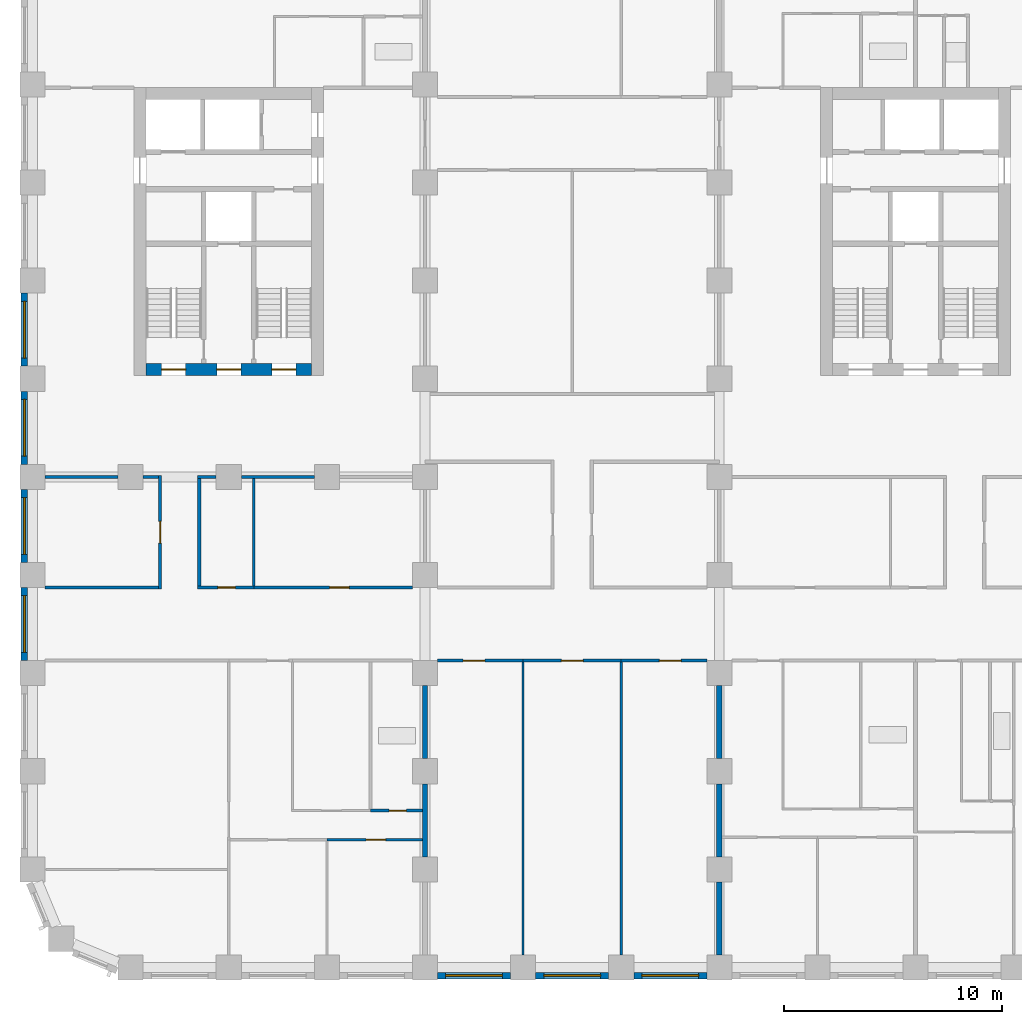
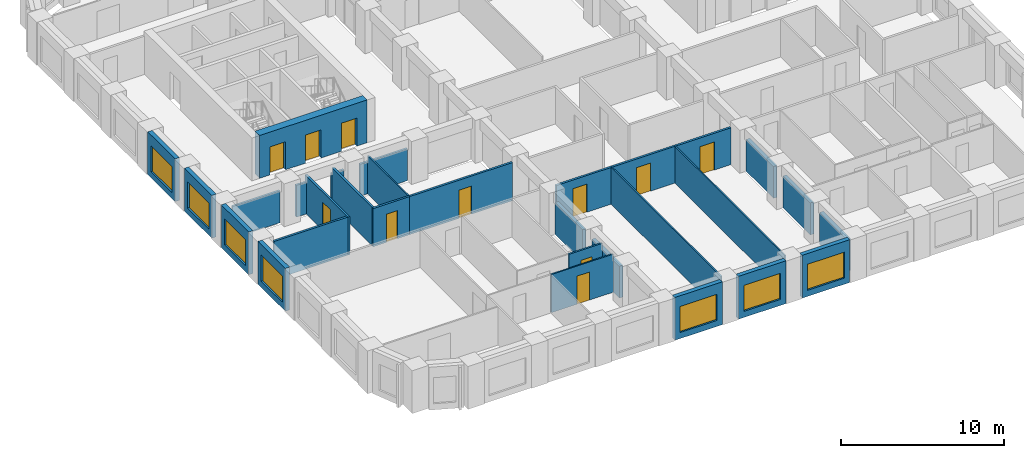
# One storey, part 3 of 12: 30 walls, 11 doors, 7 windows, 18 openings.
"""IFC4 building model written with IfcOpenShell, lengths in metres."""

from ifc_helpers import new_model, si_unit, direction, frame, frame_2d, origin, place, context, subcontext, project, spatial, rectangle, extrude, material, layer, layer_set, type_object, element, fill, save


model = new_model("IFC4")

# Units and contexts
model_context = context("Model", 3, precision=1e-05, world=origin(), true_north=direction((0.0, 1.0)))
body_context = subcontext(model_context, "Body", "Model", "MODEL_VIEW")
ifc_project = project(units=[si_unit("LENGTHUNIT", "METRE"), si_unit("AREAUNIT", "SQUARE_METRE"), si_unit("VOLUMEUNIT", "CUBIC_METRE"), si_unit("PLANEANGLEUNIT", "RADIAN"), si_unit("MASSUNIT", "GRAM", prefix="KILO")], contexts=[model_context])

# Site, building, storey
site_placement = place(None, origin())
site = spatial("IfcSite", under=ifc_project, at=site_placement, CompositionType="ELEMENT")
building_placement = place(site_placement, origin())
building = spatial("IfcBuilding", under=site, at=building_placement, Name="Girih Gate Residences", CompositionType="ELEMENT")
storey_placement = place(building_placement, frame((0.0, 0.0, 121.60009765625)))
storey = spatial("IfcBuildingStorey", under=building, at=storey_placement, Name="L34", CompositionType="ELEMENT", Elevation=121.60009765625)

# Walls
ifc_material_1 = material(Name="Gypsum board on steel studs", Category="steel")
ifc_layer_1 = layer(ifc_material_1, 0.25)
ifc_layer_set_1 = layer_set([ifc_layer_1], Name="Acoustic separating wall 250 mm")
wall_type_1 = type_object("IfcWallType", Name="Acoustic separating wall 250 mm", PredefinedType="PARTITIONING", material=ifc_layer_set_1)
for number, where, z_axis, x_axis, name in (
    (1, (18.0, 9.574951171875, 0.0), (0.0, 0.0, 1.0), (0.0, 1.0, 0.0), "L34 partition"),
    (2, (18.0, 5.074951171875, 0.0), (0.0, 0.0, 1.0), (0.0, 1.0, 0.0), "L34 partition"),
    (3, (31.5, 9.574951171875, 0.0), (0.0, 0.0, 1.0), (0.0, 1.0, 0.0), "L34 partition"),
    (4, (31.5, 0.574951171875, 0.0), (0.0, 0.0, 1.0), (0.0, 1.0, 0.0), "L34 partition"),
    (5, (31.5, 5.074951171875, 0.0), (0.0, 0.0, 1.0), (0.0, 1.0, 0.0), "L34 partition"),
):
    element("IfcWall", number, at=place(storey_placement, frame(where, z_axis=z_axis, x_axis=x_axis)), inside=storey, type_object=wall_type_1, Name=name, PredefinedType="PARTITIONING", context=body_context, shape_type="SweptSolid", body=[
        extrude(rectangle(XDim=3.35009765625, YDim=0.25, at=frame_2d((1.675048828125, 0.0))), origin(), (0.0, 0.0, 1.0), 2.3798828125),
    ])

# Wall, opening, door
ifc_layer_2 = layer(ifc_material_1, 0.14990234375)
ifc_layer_set_2 = layer_set([ifc_layer_2], Name="Compartment wall 150 mm")
wall_type_2 = type_object("IfcWallType", Name="Compartment wall 150 mm", PredefinedType="PARTITIONING", material=ifc_layer_set_2)
wall_1_placement = place(storey_placement, frame((22.5, 14.074951171875, 0.0), z_axis=(0.0, 0.0, 1.0), x_axis=(-1.0, 0.0, 0.0)))
wall_1 = element("IfcWall", 6, at=wall_1_placement, inside=storey, type_object=wall_type_2, Name="L34 partition", PredefinedType="PARTITIONING", context=body_context, shape_type="SweptSolid", body=[
    extrude(rectangle(XDim=3.925048828125, YDim=0.14990234375, at=frame_2d((1.96240234375, 0.0))), origin(), (0.0, 0.0, 1.0), 2.75),
])
opening_1_placement = place(wall_1_placement, frame((1.75, 0.0, 0.0)))
opening_1 = element("IfcOpeningElement", 7, at=opening_1_placement, cuts=wall_1, Name="Opening A34-040", PredefinedType="OPENING", context=body_context, shape_type="SweptSolid", body=[
    extrude(rectangle(XDim=1.0, YDim=2.10009765625, at=frame_2d((0.5, 1.050048828125))), frame((0.0, 0.0849609375, 0.0), z_axis=(0.0, -1.0, 0.0), x_axis=(1.0, 0.0, 0.0)), (0.0, 0.0, 1.0), 0.169921875),
])
ifc_material_2 = material(Name="Timber, fire-rated core", Category="wood")
door_type_1 = type_object("IfcDoorType", Name="Amenity room door 1000x2100 FD30S", OperationType="NOTDEFINED", PredefinedType="DOOR", material=ifc_material_2)
door_1_placement = place(opening_1_placement, origin())
door_1 = element("IfcDoor", 8, at=door_1_placement, inside=storey, type_object=door_type_1, Name="Door A34-040", OperationType="SINGLE_SWING_RIGHT", OverallHeight=2.10009765625, OverallWidth=1.0, PredefinedType="DOOR", context=body_context, shape_type="SweptSolid", body=[
    extrude(rectangle(XDim=1.0, YDim=2.10009765625, at=frame_2d((0.5, 1.050048828125))), frame((0.0, 0.02490234375, 0.0), z_axis=(0.0, -1.0, 0.0), x_axis=(1.0, 0.0, 0.0)), (0.0, 0.0, 1.0), 0.050048828125),
])
fill(opening_1, door_1)

wall_2_placement = place(storey_placement, frame((27.0, 14.074951171875, 0.0), z_axis=(0.0, 0.0, 1.0), x_axis=(-1.0, 0.0, 0.0)))
wall_2 = element("IfcWall", 9, at=wall_2_placement, inside=storey, type_object=wall_type_2, Name="L34 partition", PredefinedType="PARTITIONING", context=body_context, shape_type="SweptSolid", body=[
    extrude(rectangle(XDim=4.5, YDim=0.14990234375, at=frame_2d((2.25, 0.0))), origin(), (0.0, 0.0, 1.0), 2.75),
])
opening_2_placement = place(wall_2_placement, frame((1.75, 0.0, 0.0)))
opening_2 = element("IfcOpeningElement", 10, at=opening_2_placement, cuts=wall_2, Name="Opening A34-041", PredefinedType="OPENING", context=body_context, shape_type="SweptSolid", body=[
    extrude(rectangle(XDim=1.0, YDim=2.10009765625, at=frame_2d((0.5, 1.050048828125))), frame((0.0, 0.0849609375, 0.0), z_axis=(0.0, -1.0, 0.0), x_axis=(1.0, 0.0, 0.0)), (0.0, 0.0, 1.0), 0.169921875),
])
door_2_placement = place(opening_2_placement, origin())
door_2 = element("IfcDoor", 11, at=door_2_placement, inside=storey, type_object=door_type_1, Name="Door A34-041", OperationType="SINGLE_SWING_RIGHT", OverallHeight=2.10009765625, OverallWidth=1.0, PredefinedType="DOOR", context=body_context, shape_type="SweptSolid", body=[
    extrude(rectangle(XDim=1.0, YDim=2.10009765625, at=frame_2d((0.5, 1.050048828125))), frame((0.0, 0.02490234375, 0.0), z_axis=(0.0, -1.0, 0.0), x_axis=(1.0, 0.0, 0.0)), (0.0, 0.0, 1.0), 0.050048828125),
])
fill(opening_2, door_2)

wall_3_placement = place(storey_placement, frame((30.925048828125, 14.074951171875, 0.0), z_axis=(0.0, 0.0, 1.0), x_axis=(-1.0, 0.0, 0.0)))
wall_3 = element("IfcWall", 12, at=wall_3_placement, inside=storey, type_object=wall_type_2, Name="L34 partition", PredefinedType="PARTITIONING", context=body_context, shape_type="SweptSolid", body=[
    extrude(rectangle(XDim=3.925048828125, YDim=0.14990234375, at=frame_2d((1.96240234375, 0.0))), origin(), (0.0, 0.0, 1.0), 2.75),
])
opening_3_placement = place(wall_3_placement, frame((1.175048828125, 0.0, 0.0)))
opening_3 = element("IfcOpeningElement", 13, at=opening_3_placement, cuts=wall_3, Name="Opening A34-042", PredefinedType="OPENING", context=body_context, shape_type="SweptSolid", body=[
    extrude(rectangle(XDim=1.0, YDim=2.10009765625, at=frame_2d((0.5, 1.050048828125))), frame((0.0, 0.0849609375, 0.0), z_axis=(0.0, -1.0, 0.0), x_axis=(1.0, 0.0, 0.0)), (0.0, 0.0, 1.0), 0.169921875),
])
door_3_placement = place(opening_3_placement, origin())
door_3 = element("IfcDoor", 14, at=door_3_placement, inside=storey, type_object=door_type_1, Name="Door A34-042", OperationType="SINGLE_SWING_LEFT", OverallHeight=2.10009765625, OverallWidth=1.0, PredefinedType="DOOR", context=body_context, shape_type="SweptSolid", body=[
    extrude(rectangle(XDim=1.0, YDim=2.10009765625, at=frame_2d((0.5, 1.050048828125))), frame((0.0, 0.02490234375, 0.0), z_axis=(0.0, -1.0, 0.0), x_axis=(1.0, 0.0, 0.0)), (0.0, 0.0, 1.0), 0.050048828125),
])
fill(opening_3, door_3)

wall_4_placement = place(storey_placement, frame((10.14990234375, 17.425048828125, 0.0), z_axis=(0.0, 0.0, 1.0), x_axis=(1.0, 0.0, 0.0)))
wall_4 = element("IfcWall", 15, at=wall_4_placement, inside=storey, type_object=wall_type_2, Name="L34 partition", PredefinedType="PARTITIONING", context=body_context, shape_type="SweptSolid", body=[
    extrude(rectangle(XDim=7.275146484375, YDim=0.14990234375, at=frame_2d((3.6376953125, 0.0))), origin(), (0.0, 0.0, 1.0), 2.849853515625),
])
opening_4_placement = place(wall_4_placement, frame((3.47509765625, 0.0, 0.0)))
opening_4 = element("IfcOpeningElement", 16, at=opening_4_placement, cuts=wall_4, Name="Opening A34-046", PredefinedType="OPENING", context=body_context, shape_type="SweptSolid", body=[
    extrude(rectangle(XDim=0.89990234375, YDim=2.10009765625, at=frame_2d((0.449951171875, 1.050048828125))), frame((0.0, 0.0849609375, 0.0), z_axis=(0.0, -1.0, 0.0), x_axis=(1.0, 0.0, 0.0)), (0.0, 0.0, 1.0), 0.169921875),
])
ifc_material_3 = material(Name="Timber", Category="wood")
door_type_2 = type_object("IfcDoorType", Name="Service room door 900x2100", OperationType="NOTDEFINED", PredefinedType="DOOR", material=ifc_material_3)
door_4_placement = place(opening_4_placement, origin())
door_4 = element("IfcDoor", 17, at=door_4_placement, inside=storey, type_object=door_type_2, Name="Door A34-046", OperationType="SINGLE_SWING_RIGHT", OverallHeight=2.10009765625, OverallWidth=0.89990234375, PredefinedType="DOOR", context=body_context, shape_type="SweptSolid", body=[
    extrude(rectangle(XDim=0.89990234375, YDim=2.10009765625, at=frame_2d((0.449951171875, 1.050048828125))), frame((0.0, 0.02490234375, 0.0), z_axis=(0.0, -1.0, 0.0), x_axis=(1.0, 0.0, 0.0)), (0.0, 0.0, 1.0), 0.050048828125),
])
fill(opening_4, door_4)

wall_5_placement = place(storey_placement, frame((7.574951171875, 17.425048828125, 0.0), z_axis=(0.0, 0.0, 1.0), x_axis=(1.0, 0.0, 0.0)))
wall_5 = element("IfcWall", 18, at=wall_5_placement, inside=storey, type_object=wall_type_2, Name="L34 partition", PredefinedType="PARTITIONING", context=body_context, shape_type="SweptSolid", body=[
    extrude(rectangle(XDim=2.574951171875, YDim=0.14990234375, at=frame_2d((1.28759765625, 0.0))), origin(), (0.0, 0.0, 1.0), 2.849853515625),
])
opening_5_placement = place(wall_5_placement, frame((0.925048828125, 0.0, 0.0)))
opening_5 = element("IfcOpeningElement", 19, at=opening_5_placement, cuts=wall_5, Name="Opening A34-048", PredefinedType="OPENING", context=body_context, shape_type="SweptSolid", body=[
    extrude(rectangle(XDim=0.800048828125, YDim=2.10009765625, at=frame_2d((0.39990234375, 1.050048828125))), frame((0.0, 0.0849609375, 0.0), z_axis=(0.0, -1.0, 0.0), x_axis=(1.0, 0.0, 0.0)), (0.0, 0.0, 1.0), 0.169921875),
])
door_type_3 = type_object("IfcDoorType", Name="Bathroom door 800x2100", OperationType="NOTDEFINED", PredefinedType="DOOR", material=ifc_material_3)
door_5_placement = place(opening_5_placement, origin())
door_5 = element("IfcDoor", 20, at=door_5_placement, inside=storey, type_object=door_type_3, Name="Door A34-048", OperationType="SINGLE_SWING_RIGHT", OverallHeight=2.10009765625, OverallWidth=0.800048828125, PredefinedType="DOOR", context=body_context, shape_type="SweptSolid", body=[
    extrude(rectangle(XDim=0.800048828125, YDim=2.10009765625, at=frame_2d((0.39990234375, 1.050048828125))), frame((0.0, 0.02490234375, 0.0), z_axis=(0.0, -1.0, 0.0), x_axis=(1.0, 0.0, 0.0)), (0.0, 0.0, 1.0), 0.050048828125),
])
fill(opening_5, door_5)

# Walls
wall_6_placement = place(storey_placement, frame((0.574951171875, 17.425048828125, 0.0), z_axis=(0.0, 0.0, 1.0), x_axis=(1.0, 0.0, 0.0)))
element("IfcWall", 21, at=wall_6_placement, inside=storey, type_object=wall_type_2, Name="L34 partition", PredefinedType="PARTITIONING", context=body_context, shape_type="SweptSolid", body=[
    extrude(rectangle(XDim=5.199951171875, YDim=0.14990234375, at=frame_2d((2.60009765625, 0.0))), origin(), (0.0, 0.0, 1.0), 2.849853515625),
])
wall_7_placement = place(storey_placement, frame((9.574951171875, 22.5, 0.0), z_axis=(0.0, 0.0, 1.0), x_axis=(1.0, 0.0, 0.0)))
element("IfcWall", 22, at=wall_7_placement, inside=storey, type_object=wall_type_2, Name="L34 partition", PredefinedType="PARTITIONING", context=body_context, shape_type="SweptSolid", body=[
    extrude(rectangle(XDim=3.35009765625, YDim=0.14990234375, at=frame_2d((1.675048828125, 0.0))), origin(), (0.0, 0.0, 1.0), 2.3798828125),
])
wall_8_placement = place(storey_placement, frame((7.574951171875, 22.5, 0.0), z_axis=(0.0, 0.0, 1.0), x_axis=(1.0, 0.0, 0.0)))
element("IfcWall", 23, at=wall_8_placement, inside=storey, type_object=wall_type_2, Name="L34 partition", PredefinedType="PARTITIONING", context=body_context, shape_type="SweptSolid", body=[
    extrude(rectangle(XDim=0.85009765625, YDim=0.14990234375, at=frame_2d((0.425048828125, 0.0))), origin(), (0.0, 0.0, 1.0), 2.3798828125),
])
wall_9_placement = place(storey_placement, frame((5.074951171875, 22.5, 0.0), z_axis=(0.0, 0.0, 1.0), x_axis=(1.0, 0.0, 0.0)))
element("IfcWall", 24, at=wall_9_placement, inside=storey, type_object=wall_type_2, Name="L34 partition", PredefinedType="PARTITIONING", context=body_context, shape_type="SweptSolid", body=[
    extrude(rectangle(XDim=0.699951171875, YDim=0.14990234375, at=frame_2d((0.35009765625, 0.0))), origin(), (0.0, 0.0, 1.0), 2.3798828125),
])
wall_10_placement = place(storey_placement, frame((0.574951171875, 22.5, 0.0), z_axis=(0.0, 0.0, 1.0), x_axis=(1.0, 0.0, 0.0)))
element("IfcWall", 25, at=wall_10_placement, inside=storey, type_object=wall_type_2, Name="L34 partition", PredefinedType="PARTITIONING", context=body_context, shape_type="SweptSolid", body=[
    extrude(rectangle(XDim=3.35009765625, YDim=0.14990234375, at=frame_2d((1.675048828125, 0.0))), origin(), (0.0, 0.0, 1.0), 2.3798828125),
])
wall_11_placement = place(storey_placement, frame((7.64990234375, 17.5, 0.0), z_axis=(0.0, 0.0, 1.0), x_axis=(0.0, 1.0, 0.0)))
element("IfcWall", 26, at=wall_11_placement, inside=storey, type_object=wall_type_2, Name="L34 partition", PredefinedType="PARTITIONING", context=body_context, shape_type="SweptSolid", body=[
    extrude(rectangle(XDim=4.925048828125, YDim=0.14990234375, at=frame_2d((2.46240234375, 0.0))), origin(), (0.0, 0.0, 1.0), 2.849853515625),
])

# Wall, opening, door
wall_12_placement = place(storey_placement, frame((5.85009765625, 17.35009765625, 0.0), z_axis=(0.0, 0.0, 1.0), x_axis=(0.0, 1.0, 0.0)))
wall_12 = element("IfcWall", 27, at=wall_12_placement, inside=storey, type_object=wall_type_2, Name="L34 partition", PredefinedType="PARTITIONING", context=body_context, shape_type="SweptSolid", body=[
    extrude(rectangle(XDim=5.224853515625, YDim=0.14990234375, at=frame_2d((2.6123046875, 0.0))), origin(), (0.0, 0.0, 1.0), 2.849853515625),
])
opening_6_placement = place(wall_12_placement, frame((2.112548828125, 0.0, 0.0)))
opening_6 = element("IfcOpeningElement", 28, at=opening_6_placement, cuts=wall_12, Name="Opening A34-050", PredefinedType="OPENING", context=body_context, shape_type="SweptSolid", body=[
    extrude(rectangle(XDim=1.0, YDim=2.10009765625, at=frame_2d((0.5, 1.050048828125))), frame((0.0, 0.0849609375, 0.0), z_axis=(0.0, -1.0, 0.0), x_axis=(1.0, 0.0, 0.0)), (0.0, 0.0, 1.0), 0.169921875),
])
door_6_placement = place(opening_6_placement, origin())
door_6 = element("IfcDoor", 29, at=door_6_placement, inside=storey, type_object=door_type_1, Name="Door A34-050", OperationType="SINGLE_SWING_LEFT", OverallHeight=2.10009765625, OverallWidth=1.0, PredefinedType="DOOR", context=body_context, shape_type="SweptSolid", body=[
    extrude(rectangle(XDim=1.0, YDim=2.10009765625, at=frame_2d((0.5, 1.050048828125))), frame((0.0, 0.02490234375, 0.0), z_axis=(0.0, -1.0, 0.0), x_axis=(1.0, 0.0, 0.0)), (0.0, 0.0, 1.0), 0.050048828125),
])
fill(opening_6, door_6)

# Wall, openings, doors
ifc_material_4 = material(Name="Concrete C60/75", Category="concrete")
ifc_layer_3 = layer(ifc_material_4, 0.550048828125)
ifc_layer_set_3 = layer_set([ifc_layer_3], Name="Core wall RC 550 Concrete C60/75")
wall_type_3 = type_object("IfcWallType", Name="Core wall RC 550 Concrete C60/75", PredefinedType="SOLIDWALL", material=ifc_layer_set_3)
wall_13_placement = place(storey_placement, frame((5.199951171875, 27.425048828125, 0.0), z_axis=(0.0, 0.0, 1.0), x_axis=(1.0, 0.0, 0.0)))
wall_13 = element("IfcWall", 30, at=wall_13_placement, inside=storey, type_object=wall_type_3, Name="Core wall W-S L34", PredefinedType="SOLIDWALL", context=body_context, shape_type="SweptSolid", body=[
    extrude(rectangle(XDim=7.60009765625, YDim=0.550048828125, at=frame_2d((3.800048828125, 0.0))), origin(), (0.0, 0.0, 1.0), 3.199951171875),
])
opening_7_placement = place(wall_13_placement, frame((0.72509765625, 0.0, 0.0)))
opening_7 = element("IfcOpeningElement", 31, at=opening_7_placement, cuts=wall_13, Name="Opening D-L34-W-007", PredefinedType="OPENING", context=body_context, shape_type="SweptSolid", body=[
    extrude(rectangle(XDim=1.10009765625, YDim=2.10009765625, at=frame_2d((0.550048828125, 1.050048828125))), frame((0.0, 0.284912109375, 0.0), z_axis=(0.0, -1.0, 0.0), x_axis=(1.0, 0.0, 0.0)), (0.0, 0.0, 1.0), 0.570068359375),
])
opening_8_placement = place(wall_13_placement, frame((3.25, 0.0, 0.0)))
opening_8 = element("IfcOpeningElement", 32, at=opening_8_placement, cuts=wall_13, Name="Opening D-L34-W-008", PredefinedType="OPENING", context=body_context, shape_type="SweptSolid", body=[
    extrude(rectangle(XDim=1.10009765625, YDim=2.10009765625, at=frame_2d((0.550048828125, 1.050048828125))), frame((0.0, 0.284912109375, 0.0), z_axis=(0.0, -1.0, 0.0), x_axis=(1.0, 0.0, 0.0)), (0.0, 0.0, 1.0), 0.570068359375),
])
opening_9_placement = place(wall_13_placement, frame((5.77490234375, 0.0, 0.0)))
opening_9 = element("IfcOpeningElement", 33, at=opening_9_placement, cuts=wall_13, Name="Opening D-L34-W-009", PredefinedType="OPENING", context=body_context, shape_type="SweptSolid", body=[
    extrude(rectangle(XDim=1.10009765625, YDim=2.10009765625, at=frame_2d((0.550048828125, 1.050048828125))), frame((0.0, 0.284912109375, 0.0), z_axis=(0.0, -1.0, 0.0), x_axis=(1.0, 0.0, 0.0)), (0.0, 0.0, 1.0), 0.570068359375),
])
ifc_material_5 = material(Name="Painted steel, fire-resisting", Category="steel")
door_type_4 = type_object("IfcDoorType", Name="Fire door 1100x2100", OperationType="SINGLE_SWING_LEFT", PredefinedType="DOOR", material=ifc_material_5)
door_7_placement = place(opening_7_placement, origin())
door_7 = element("IfcDoor", 34, at=door_7_placement, inside=storey, type_object=door_type_4, Name="L34 W core door sta-out", OperationType="SINGLE_SWING_LEFT", OverallHeight=2.10009765625, OverallWidth=1.10009765625, PredefinedType="DOOR", context=body_context, shape_type="SweptSolid", body=[
    extrude(rectangle(XDim=1.10009765625, YDim=2.10009765625, at=frame_2d((0.550048828125, 1.050048828125))), frame((0.0, 0.02490234375, 0.0), z_axis=(0.0, -1.0, 0.0), x_axis=(1.0, 0.0, 0.0)), (0.0, 0.0, 1.0), 0.050048828125),
])
fill(opening_7, door_7)
door_8_placement = place(opening_8_placement, origin())
door_8 = element("IfcDoor", 35, at=door_8_placement, inside=storey, type_object=door_type_4, Name="L34 W core door ffl-out", OperationType="SINGLE_SWING_LEFT", OverallHeight=2.10009765625, OverallWidth=1.10009765625, PredefinedType="DOOR", context=body_context, shape_type="SweptSolid", body=[
    extrude(rectangle(XDim=1.10009765625, YDim=2.10009765625, at=frame_2d((0.550048828125, 1.050048828125))), frame((0.0, 0.02490234375, 0.0), z_axis=(0.0, -1.0, 0.0), x_axis=(1.0, 0.0, 0.0)), (0.0, 0.0, 1.0), 0.050048828125),
])
fill(opening_8, door_8)
door_9_placement = place(opening_9_placement, origin())
door_9 = element("IfcDoor", 36, at=door_9_placement, inside=storey, type_object=door_type_4, Name="L34 W core door stb-out", OperationType="SINGLE_SWING_LEFT", OverallHeight=2.10009765625, OverallWidth=1.10009765625, PredefinedType="DOOR", context=body_context, shape_type="SweptSolid", body=[
    extrude(rectangle(XDim=1.10009765625, YDim=2.10009765625, at=frame_2d((0.550048828125, 1.050048828125))), frame((0.0, 0.02490234375, 0.0), z_axis=(0.0, -1.0, 0.0), x_axis=(1.0, 0.0, 0.0)), (0.0, 0.0, 1.0), 0.050048828125),
])
fill(opening_9, door_9)

# Wall, opening, door
ifc_layer_4 = layer(ifc_material_1, 0.10009765625)
ifc_layer_set_4 = layer_set([ifc_layer_4], Name="Partition 100 mm")
wall_type_4 = type_object("IfcWallType", Name="Partition 100 mm", PredefinedType="PARTITIONING", material=ifc_layer_set_4)
wall_14_placement = place(storey_placement, frame((17.875, 5.85498046875, 0.0), z_axis=(0.0, 0.0, 1.0), x_axis=(-1.0, 0.0, 0.0)))
wall_14 = element("IfcWall", 37, at=wall_14_placement, inside=storey, type_object=wall_type_4, Name="L34 partition", PredefinedType="PARTITIONING", context=body_context, shape_type="SweptSolid", body=[
    extrude(rectangle(XDim=4.375, YDim=0.10009765625, at=frame_2d((2.1875, 0.0))), origin(), (0.0, 0.0, 1.0), 2.849853515625),
])
opening_10_placement = place(wall_14_placement, frame((1.675048828125, 0.0, 0.0)))
opening_10 = element("IfcOpeningElement", 38, at=opening_10_placement, cuts=wall_14, Name="Opening A34-003", PredefinedType="OPENING", context=body_context, shape_type="SweptSolid", body=[
    extrude(rectangle(XDim=0.89990234375, YDim=2.10009765625, at=frame_2d((0.449951171875, 1.050048828125))), frame((0.0, 0.06005859375, 0.0), z_axis=(0.0, -1.0, 0.0), x_axis=(1.0, 0.0, 0.0)), (0.0, 0.0, 1.0), 0.1201171875),
])
door_type_5 = type_object("IfcDoorType", Name="Bedroom door 900x2100", OperationType="NOTDEFINED", PredefinedType="DOOR", material=ifc_material_3)
door_10_placement = place(opening_10_placement, origin())
door_10 = element("IfcDoor", 39, at=door_10_placement, inside=storey, type_object=door_type_5, Name="Door A34-003", OperationType="SINGLE_SWING_LEFT", OverallHeight=2.10009765625, OverallWidth=0.89990234375, PredefinedType="DOOR", context=body_context, shape_type="SweptSolid", body=[
    extrude(rectangle(XDim=0.89990234375, YDim=2.10009765625, at=frame_2d((0.449951171875, 1.050048828125))), frame((0.0, 0.02490234375, 0.0), z_axis=(0.0, -1.0, 0.0), x_axis=(1.0, 0.0, 0.0)), (0.0, 0.0, 1.0), 0.050048828125),
])
fill(opening_10, door_10)

# Walls
for number, where, z_axis, x_axis, name in (
    (40, (22.5, 0.574951171875, 0.0), (0.0, 0.0, 1.0), (0.0, 1.0, 0.0), "L34 partition"),
    (41, (27.0, 0.574951171875, 0.0), (0.0, 0.0, 1.0), (0.0, 1.0, 0.0), "L34 partition"),
):
    element("IfcWall", number, at=place(storey_placement, frame(where, z_axis=z_axis, x_axis=x_axis)), inside=storey, type_object=wall_type_4, Name=name, PredefinedType="PARTITIONING", context=body_context, shape_type="SweptSolid", body=[
        extrude(rectangle(XDim=13.425048828125, YDim=0.10009765625, at=frame_2d((6.71240234375, 0.0))), origin(), (0.0, 0.0, 1.0), 2.75),
    ])
wall_15_placement = place(storey_placement, frame((10.14990234375, 17.5, 0.0), z_axis=(0.0, 0.0, 1.0), x_axis=(0.0, 1.0, 0.0)))
element("IfcWall", 42, at=wall_15_placement, inside=storey, type_object=wall_type_4, Name="L34 partition", PredefinedType="PARTITIONING", context=body_context, shape_type="SweptSolid", body=[
    extrude(rectangle(XDim=4.925048828125, YDim=0.10009765625, at=frame_2d((2.46240234375, 0.0))), origin(), (0.0, 0.0, 1.0), 2.849853515625),
])

# Wall, opening, window
ifc_material_6 = material(Name="Precast concrete C50/60", Category="concrete")
ifc_layer_5 = layer(ifc_material_6, 0.080078125, Name="Outer leaf")
ifc_material_7 = material(Name="Rigid PIR insulation")
ifc_layer_6 = layer(ifc_material_7, 0.14990234375, Name="Insulation")
ifc_material_8 = material(Name="Precast concrete C40/50", Category="concrete")
ifc_layer_7 = layer(ifc_material_8, 0.070068359375, Name="Inner leaf")
ifc_layer_set_5 = layer_set([ifc_layer_5, ifc_layer_6, ifc_layer_7], Name="Precast concrete C50/60 external wall 300")
wall_type_5 = type_object("IfcWallType", Name="Precast concrete C50/60 external wall 300", PredefinedType="SOLIDWALL", material=ifc_layer_set_5)
wall_16_placement = place(storey_placement, frame((21.925048828125, -0.375, 0.0), z_axis=(0.0, 0.0, 1.0), x_axis=(-1.0, 0.0, 0.0)))
wall_16 = element("IfcWall", 43, at=wall_16_placement, inside=storey, type_object=wall_type_5, Name="External wall S0045_0000.3", PredefinedType="SOLIDWALL", context=body_context, shape_type="SweptSolid", body=[
    extrude(rectangle(XDim=3.35009765625, YDim=0.300048828125, at=frame_2d((1.675048828125, 0.0))), origin(), (0.0, 0.0, 1.0), 3.199951171875),
])
opening_11_placement = place(wall_16_placement, frame((0.375, 0.0, 0.449951171875)))
opening_11 = element("IfcOpeningElement", 44, at=opening_11_placement, cuts=wall_16, Name="Opening W-1A", PredefinedType="OPENING", context=body_context, shape_type="SweptSolid", body=[
    extrude(rectangle(XDim=2.60009765625, YDim=1.949951171875, at=frame_2d((1.300048828125, 0.97509765625))), frame((0.0, 0.159912109375, 0.0), z_axis=(0.0, -1.0, 0.0), x_axis=(1.0, 0.0, 0.0)), (0.0, 0.0, 1.0), 0.320068359375),
])
ifc_material_9 = material(Name="Double glazing in aluminium frame", Category="aluminium")
window_type = type_object("IfcWindowType", Name="Window W-1A 2600x1950", PartitioningType="SINGLE_PANEL", PredefinedType="WINDOW", material=ifc_material_9)
window_1_placement = place(opening_11_placement, origin())
window_1 = element("IfcWindow", 45, at=window_1_placement, inside=storey, type_object=window_type, Name="Window W-1A S0045_0000.3", OverallHeight=1.949951171875, OverallWidth=2.60009765625, PartitioningType="SINGLE_PANEL", PredefinedType="WINDOW", context=body_context, shape_type="SweptSolid", body=[
    extrude(rectangle(XDim=2.60009765625, YDim=1.949951171875, at=frame_2d((1.300048828125, 0.97509765625))), frame((0.0, 0.030029296875, 0.0), z_axis=(0.0, -1.0, 0.0), x_axis=(1.0, 0.0, 0.0)), (0.0, 0.0, 1.0), 0.06005859375),
])
fill(opening_11, window_1)

wall_17_placement = place(storey_placement, frame((26.425048828125, -0.375, 0.0), z_axis=(0.0, 0.0, 1.0), x_axis=(-1.0, 0.0, 0.0)))
wall_17 = element("IfcWall", 46, at=wall_17_placement, inside=storey, type_object=wall_type_5, Name="External wall S0045_0000.4", PredefinedType="SOLIDWALL", context=body_context, shape_type="SweptSolid", body=[
    extrude(rectangle(XDim=3.35009765625, YDim=0.300048828125, at=frame_2d((1.675048828125, 0.0))), origin(), (0.0, 0.0, 1.0), 3.199951171875),
])
opening_12_placement = place(wall_17_placement, frame((0.375, 0.0, 0.449951171875)))
opening_12 = element("IfcOpeningElement", 47, at=opening_12_placement, cuts=wall_17, Name="Opening W-1A", PredefinedType="OPENING", context=body_context, shape_type="SweptSolid", body=[
    extrude(rectangle(XDim=2.60009765625, YDim=1.949951171875, at=frame_2d((1.300048828125, 0.97509765625))), frame((0.0, 0.159912109375, 0.0), z_axis=(0.0, -1.0, 0.0), x_axis=(1.0, 0.0, 0.0)), (0.0, 0.0, 1.0), 0.320068359375),
])
window_2_placement = place(opening_12_placement, origin())
window_2 = element("IfcWindow", 48, at=window_2_placement, inside=storey, type_object=window_type, Name="Window W-1A S0045_0000.4", OverallHeight=1.949951171875, OverallWidth=2.60009765625, PartitioningType="SINGLE_PANEL", PredefinedType="WINDOW", context=body_context, shape_type="SweptSolid", body=[
    extrude(rectangle(XDim=2.60009765625, YDim=1.949951171875, at=frame_2d((1.300048828125, 0.97509765625))), frame((0.0, 0.030029296875, 0.0), z_axis=(0.0, -1.0, 0.0), x_axis=(1.0, 0.0, 0.0)), (0.0, 0.0, 1.0), 0.06005859375),
])
fill(opening_12, window_2)

wall_18_placement = place(storey_placement, frame((30.925048828125, -0.375, 0.0), z_axis=(0.0, 0.0, 1.0), x_axis=(-1.0, 0.0, 0.0)))
wall_18 = element("IfcWall", 49, at=wall_18_placement, inside=storey, type_object=wall_type_5, Name="External wall S0045_0000.5", PredefinedType="SOLIDWALL", context=body_context, shape_type="SweptSolid", body=[
    extrude(rectangle(XDim=3.35009765625, YDim=0.300048828125, at=frame_2d((1.675048828125, 0.0))), origin(), (0.0, 0.0, 1.0), 3.199951171875),
])
opening_13_placement = place(wall_18_placement, frame((0.375, 0.0, 0.449951171875)))
opening_13 = element("IfcOpeningElement", 50, at=opening_13_placement, cuts=wall_18, Name="Opening W-1A", PredefinedType="OPENING", context=body_context, shape_type="SweptSolid", body=[
    extrude(rectangle(XDim=2.60009765625, YDim=1.949951171875, at=frame_2d((1.300048828125, 0.97509765625))), frame((0.0, 0.159912109375, 0.0), z_axis=(0.0, -1.0, 0.0), x_axis=(1.0, 0.0, 0.0)), (0.0, 0.0, 1.0), 0.320068359375),
])
window_3_placement = place(opening_13_placement, origin())
window_3 = element("IfcWindow", 51, at=window_3_placement, inside=storey, type_object=window_type, Name="Window W-1A S0045_0000.5", OverallHeight=1.949951171875, OverallWidth=2.60009765625, PartitioningType="SINGLE_PANEL", PredefinedType="WINDOW", context=body_context, shape_type="SweptSolid", body=[
    extrude(rectangle(XDim=2.60009765625, YDim=1.949951171875, at=frame_2d((1.300048828125, 0.97509765625))), frame((0.0, 0.030029296875, 0.0), z_axis=(0.0, -1.0, 0.0), x_axis=(1.0, 0.0, 0.0)), (0.0, 0.0, 1.0), 0.06005859375),
])
fill(opening_13, window_3)

wall_19_placement = place(storey_placement, frame((-0.375, 27.574951171875, 0.0), z_axis=(0.0, 0.0, 1.0), x_axis=(0.0, 1.0, 0.0)))
wall_19 = element("IfcWall", 52, at=wall_19_placement, inside=storey, type_object=wall_type_5, Name="External wall W0000_0450.3", PredefinedType="SOLIDWALL", context=body_context, shape_type="SweptSolid", body=[
    extrude(rectangle(XDim=3.35009765625, YDim=0.300048828125, at=frame_2d((1.675048828125, 0.0))), origin(), (0.0, 0.0, 1.0), 3.199951171875),
])
opening_14_placement = place(wall_19_placement, frame((0.375, 0.0, 0.449951171875)))
opening_14 = element("IfcOpeningElement", 53, at=opening_14_placement, cuts=wall_19, Name="Opening W-1A", PredefinedType="OPENING", context=body_context, shape_type="SweptSolid", body=[
    extrude(rectangle(XDim=2.60009765625, YDim=1.949951171875, at=frame_2d((1.300048828125, 0.97509765625))), frame((0.0, 0.159912109375, 0.0), z_axis=(0.0, -1.0, 0.0), x_axis=(1.0, 0.0, 0.0)), (0.0, 0.0, 1.0), 0.320068359375),
])
window_4_placement = place(opening_14_placement, origin())
window_4 = element("IfcWindow", 54, at=window_4_placement, inside=storey, type_object=window_type, Name="Window W-1A W0000_0450.3", OverallHeight=1.949951171875, OverallWidth=2.60009765625, PartitioningType="SINGLE_PANEL", PredefinedType="WINDOW", context=body_context, shape_type="SweptSolid", body=[
    extrude(rectangle(XDim=2.60009765625, YDim=1.949951171875, at=frame_2d((1.300048828125, 0.97509765625))), frame((0.0, 0.030029296875, 0.0), z_axis=(0.0, -1.0, 0.0), x_axis=(1.0, 0.0, 0.0)), (0.0, 0.0, 1.0), 0.06005859375),
])
fill(opening_14, window_4)

wall_20_placement = place(storey_placement, frame((-0.375, 23.074951171875, 0.0), z_axis=(0.0, 0.0, 1.0), x_axis=(0.0, 1.0, 0.0)))
wall_20 = element("IfcWall", 55, at=wall_20_placement, inside=storey, type_object=wall_type_5, Name="External wall W0000_0450.4", PredefinedType="SOLIDWALL", context=body_context, shape_type="SweptSolid", body=[
    extrude(rectangle(XDim=3.35009765625, YDim=0.300048828125, at=frame_2d((1.675048828125, 0.0))), origin(), (0.0, 0.0, 1.0), 3.199951171875),
])
opening_15_placement = place(wall_20_placement, frame((0.375, 0.0, 0.449951171875)))
opening_15 = element("IfcOpeningElement", 56, at=opening_15_placement, cuts=wall_20, Name="Opening W-1A", PredefinedType="OPENING", context=body_context, shape_type="SweptSolid", body=[
    extrude(rectangle(XDim=2.60009765625, YDim=1.949951171875, at=frame_2d((1.300048828125, 0.97509765625))), frame((0.0, 0.159912109375, 0.0), z_axis=(0.0, -1.0, 0.0), x_axis=(1.0, 0.0, 0.0)), (0.0, 0.0, 1.0), 0.320068359375),
])
window_5_placement = place(opening_15_placement, origin())
window_5 = element("IfcWindow", 57, at=window_5_placement, inside=storey, type_object=window_type, Name="Window W-1A W0000_0450.4", OverallHeight=1.949951171875, OverallWidth=2.60009765625, PartitioningType="SINGLE_PANEL", PredefinedType="WINDOW", context=body_context, shape_type="SweptSolid", body=[
    extrude(rectangle(XDim=2.60009765625, YDim=1.949951171875, at=frame_2d((1.300048828125, 0.97509765625))), frame((0.0, 0.030029296875, 0.0), z_axis=(0.0, -1.0, 0.0), x_axis=(1.0, 0.0, 0.0)), (0.0, 0.0, 1.0), 0.06005859375),
])
fill(opening_15, window_5)

wall_21_placement = place(storey_placement, frame((-0.375, 18.574951171875, 0.0), z_axis=(0.0, 0.0, 1.0), x_axis=(0.0, 1.0, 0.0)))
wall_21 = element("IfcWall", 58, at=wall_21_placement, inside=storey, type_object=wall_type_5, Name="External wall W0000_0450.5", PredefinedType="SOLIDWALL", context=body_context, shape_type="SweptSolid", body=[
    extrude(rectangle(XDim=3.35009765625, YDim=0.300048828125, at=frame_2d((1.675048828125, 0.0))), origin(), (0.0, 0.0, 1.0), 3.199951171875),
])
opening_16_placement = place(wall_21_placement, frame((0.375, 0.0, 0.449951171875)))
opening_16 = element("IfcOpeningElement", 59, at=opening_16_placement, cuts=wall_21, Name="Opening W-1A", PredefinedType="OPENING", context=body_context, shape_type="SweptSolid", body=[
    extrude(rectangle(XDim=2.60009765625, YDim=1.949951171875, at=frame_2d((1.300048828125, 0.97509765625))), frame((0.0, 0.159912109375, 0.0), z_axis=(0.0, -1.0, 0.0), x_axis=(1.0, 0.0, 0.0)), (0.0, 0.0, 1.0), 0.320068359375),
])
window_6_placement = place(opening_16_placement, origin())
window_6 = element("IfcWindow", 60, at=window_6_placement, inside=storey, type_object=window_type, Name="Window W-1A W0000_0450.5", OverallHeight=1.949951171875, OverallWidth=2.60009765625, PartitioningType="SINGLE_PANEL", PredefinedType="WINDOW", context=body_context, shape_type="SweptSolid", body=[
    extrude(rectangle(XDim=2.60009765625, YDim=1.949951171875, at=frame_2d((1.300048828125, 0.97509765625))), frame((0.0, 0.030029296875, 0.0), z_axis=(0.0, -1.0, 0.0), x_axis=(1.0, 0.0, 0.0)), (0.0, 0.0, 1.0), 0.06005859375),
])
fill(opening_16, window_6)

wall_22_placement = place(storey_placement, frame((-0.375, 14.074951171875, 0.0), z_axis=(0.0, 0.0, 1.0), x_axis=(0.0, 1.0, 0.0)))
wall_22 = element("IfcWall", 61, at=wall_22_placement, inside=storey, type_object=wall_type_5, Name="External wall W0000_0450.6", PredefinedType="SOLIDWALL", context=body_context, shape_type="SweptSolid", body=[
    extrude(rectangle(XDim=3.35009765625, YDim=0.300048828125, at=frame_2d((1.675048828125, 0.0))), origin(), (0.0, 0.0, 1.0), 3.199951171875),
])
opening_17_placement = place(wall_22_placement, frame((0.375, 0.0, 0.449951171875)))
opening_17 = element("IfcOpeningElement", 62, at=opening_17_placement, cuts=wall_22, Name="Opening W-1A", PredefinedType="OPENING", context=body_context, shape_type="SweptSolid", body=[
    extrude(rectangle(XDim=2.60009765625, YDim=1.949951171875, at=frame_2d((1.300048828125, 0.97509765625))), frame((0.0, 0.159912109375, 0.0), z_axis=(0.0, -1.0, 0.0), x_axis=(1.0, 0.0, 0.0)), (0.0, 0.0, 1.0), 0.320068359375),
])
window_7_placement = place(opening_17_placement, origin())
window_7 = element("IfcWindow", 63, at=window_7_placement, inside=storey, type_object=window_type, Name="Window W-1A W0000_0450.6", OverallHeight=1.949951171875, OverallWidth=2.60009765625, PartitioningType="SINGLE_PANEL", PredefinedType="WINDOW", context=body_context, shape_type="SweptSolid", body=[
    extrude(rectangle(XDim=2.60009765625, YDim=1.949951171875, at=frame_2d((1.300048828125, 0.97509765625))), frame((0.0, 0.030029296875, 0.0), z_axis=(0.0, -1.0, 0.0), x_axis=(1.0, 0.0, 0.0)), (0.0, 0.0, 1.0), 0.06005859375),
])
fill(opening_17, window_7)

# Wall, opening, door
ifc_layer_8 = layer(ifc_material_1, 0.125)
ifc_layer_set_6 = layer_set([ifc_layer_8], Name="Wet room wall 125 mm")
wall_type_6 = type_object("IfcWallType", Name="Wet room wall 125 mm", PredefinedType="PARTITIONING", material=ifc_layer_set_6)
wall_23_placement = place(storey_placement, frame((15.49951171875, 7.195068359375, 0.0), z_axis=(0.0, 0.0, 1.0), x_axis=(1.0, 0.0, 0.0)))
wall_23 = element("IfcWall", 64, at=wall_23_placement, inside=storey, type_object=wall_type_6, Name="L34 partition", PredefinedType="PARTITIONING", context=body_context, shape_type="SweptSolid", body=[
    extrude(rectangle(XDim=2.37548828125, YDim=0.125, at=frame_2d((1.187744140625, 0.0))), origin(), (0.0, 0.0, 1.0), 2.849853515625),
])
opening_18_placement = place(wall_23_placement, frame((0.85009765625, 0.0, 0.0)))
opening_18 = element("IfcOpeningElement", 65, at=opening_18_placement, cuts=wall_23, Name="Opening A34-001", PredefinedType="OPENING", context=body_context, shape_type="SweptSolid", body=[
    extrude(rectangle(XDim=0.800048828125, YDim=2.10009765625, at=frame_2d((0.39990234375, 1.050048828125))), frame((0.0, 0.072509765625, 0.0), z_axis=(0.0, -1.0, 0.0), x_axis=(1.0, 0.0, 0.0)), (0.0, 0.0, 1.0), 0.14501953125),
])
door_11_placement = place(opening_18_placement, origin())
door_11 = element("IfcDoor", 66, at=door_11_placement, inside=storey, type_object=door_type_3, Name="Door A34-001", OperationType="SINGLE_SWING_RIGHT", OverallHeight=2.10009765625, OverallWidth=0.800048828125, PredefinedType="DOOR", context=body_context, shape_type="SweptSolid", body=[
    extrude(rectangle(XDim=0.800048828125, YDim=2.10009765625, at=frame_2d((0.39990234375, 1.050048828125))), frame((0.0, 0.02490234375, 0.0), z_axis=(0.0, -1.0, 0.0), x_axis=(1.0, 0.0, 0.0)), (0.0, 0.0, 1.0), 0.050048828125),
])
fill(opening_18, door_11)

save(model, "model.ifc")
